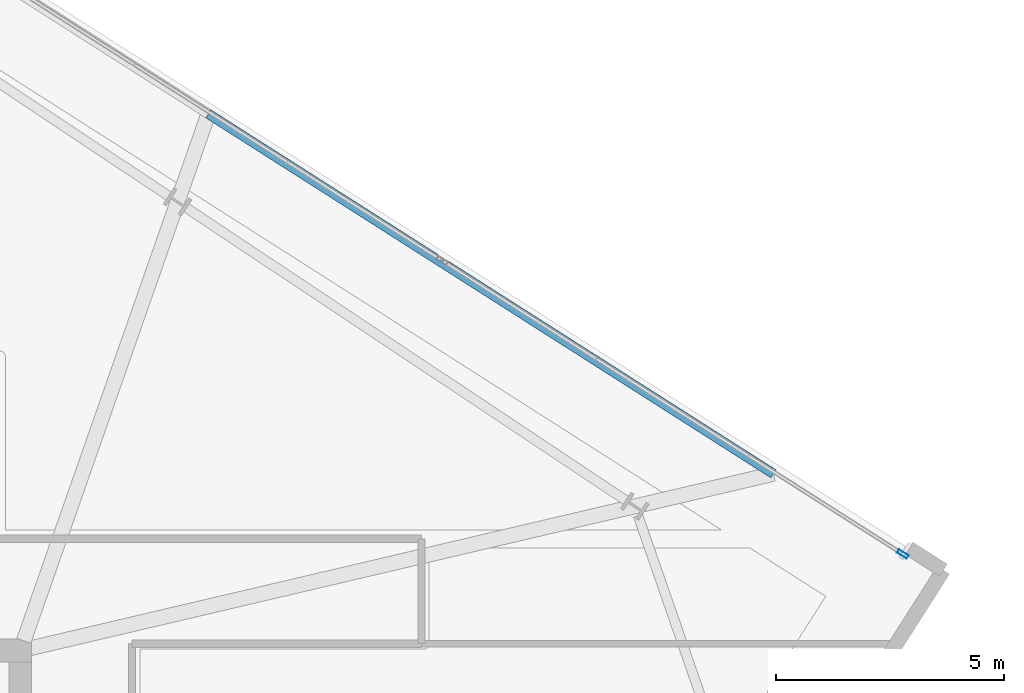
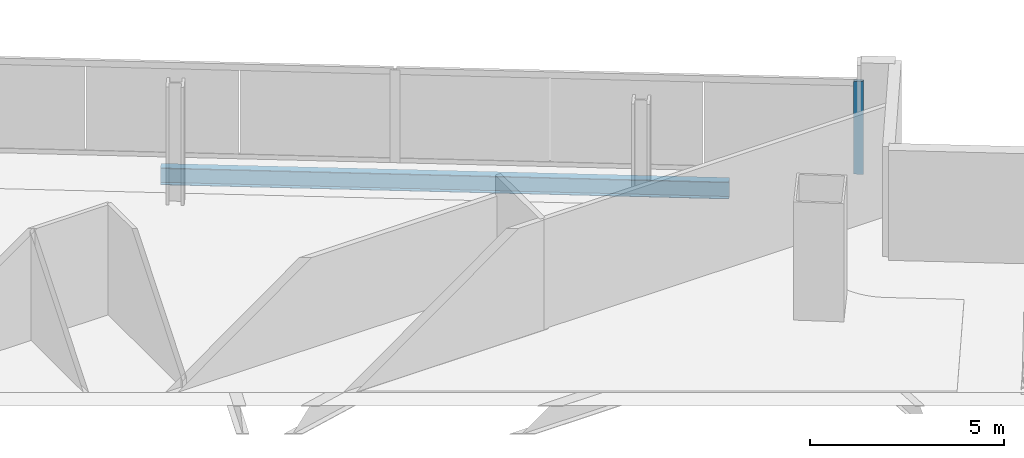
# One storey, part 19 of 30: 1 beam, 1 member, 1 element without a shape of its own.
"""IFC4 building model written with IfcOpenShell, lengths in metres."""

from ifc_helpers import new_model, si_unit, direction, frame, origin, origin_2d, place, context, subcontext, project, spatial, hollow_rectangle, i_section, extrude, material, material_profile, profile_set, type_object, element, aggregate, save


model = new_model("IFC4")

# Units and contexts
model_context = context("Model", 3, precision=1e-05, world=origin(), true_north=direction((0.0, 1.0)))
body_context = subcontext(model_context, "Body", "Model", "MODEL_VIEW")
ifc_project = project(units=[si_unit("LENGTHUNIT", "METRE"), si_unit("AREAUNIT", "SQUARE_METRE"), si_unit("VOLUMEUNIT", "CUBIC_METRE"), si_unit("PLANEANGLEUNIT", "RADIAN"), si_unit("MASSUNIT", "GRAM", prefix="KILO")], contexts=[model_context])

# Site, building, storey
site_placement = place(None, origin())
site = spatial("IfcSite", under=ifc_project, at=site_placement, CompositionType="ELEMENT")
building_placement = place(site_placement, origin())
building = spatial("IfcBuilding", under=site, at=building_placement, Name="Haldenkirk Collegiate Tower", CompositionType="ELEMENT")
storey_placement = place(building_placement, frame((0.0, 0.0, 220.949951171875)))
storey = spatial("IfcBuildingStorey", under=building, at=storey_placement, Name="L55", CompositionType="ELEMENT", Elevation=220.949951171875)

# Beam
ifc_material_1 = material(Name="Steel ASTM A992 Grade 50", Category="steel")
ifc_material_profile_1 = material_profile(ifc_material_1, i_section(OverallWidth=0.2099609375, OverallDepth=0.537109375, WebThickness=0.010986328125, FlangeThickness=0.017333984375, at=origin_2d()), Name="W21X68")
ifc_profile_set_1 = profile_set([ifc_material_profile_1], Name="Steel ASTM A992 Grade 50")
beam_type = type_object("IfcBeamType", Name="BM-SPANDREL-W21X68", PredefinedType="SPANDREL", material=ifc_profile_set_1)
beam_placement = place(storey_placement, frame((61.52197265625, 37.877197265625, -0.54833984375), z_axis=(-0.843394665896, 0.537294553795, 0.0), x_axis=(-0.537294553795, -0.843394665896, 0.0)))
element("IfcBeam", 1, at=beam_placement, inside=storey, type_object=beam_type, Name="L55 outer facade edge beam 2A", PredefinedType="SPANDREL", context=body_context, shape_type="SweptSolid", body=[
    extrude(i_section(OverallWidth=0.2099609375, OverallDepth=0.537109375, WebThickness=0.010986328125, FlangeThickness=0.017333984375, at=origin_2d()), origin(), (0.0, 0.0, 1.0), 14.699462890625),
])

# Curtain wall, member
ifc_material_2 = material(Name="Anodised architectural bronze aluminium", Category="aluminium")
curtain_wall_type = type_object("IfcCurtainWallType", Name="CW-SYS1B-CONVEX-HI", PredefinedType="USERDEFINED", material=ifc_material_2)
curtain_wall_placement = place(storey_placement, origin())
curtain_wall = element("IfcCurtainWall", 2, at=curtain_wall_placement, inside=storey, type_object=curtain_wall_type, Name="L55 Upper tower high-wind convex bronze unitised curtain wall", ObjectType="UNITISED CURTAIN WALL", PredefinedType="USERDEFINED")
ifc_material_profile_2 = material_profile(ifc_material_2, hollow_rectangle(XDim=0.0849609375, YDim=0.25, WallThickness=0.0048828125, at=origin_2d()), Name="CW-MUL-1B")
ifc_profile_set_2 = profile_set([ifc_material_profile_2], Name="Anodised architectural bronze aluminium")
member_type = type_object("IfcMemberType", Name="CW-MUL-1B", PredefinedType="MULLION", material=ifc_profile_set_2)
member_placement = place(storey_placement, frame((64.359619140625, 36.116943359375, 0.0), z_axis=(0.0, 0.0, 1.0), x_axis=(0.537299803563, 0.843391321447, 0.0)))
member = element("IfcMember", 3, at=member_placement, type_object=member_type, Name="CW-1B mullion 4", PredefinedType="MULLION", context=body_context, shape_type="SweptSolid", body=[
    extrude(hollow_rectangle(XDim=0.0849609375, YDim=0.25, WallThickness=0.0048828125, at=origin_2d()), origin(), (0.0, 0.0, 1.0), 2.927978515625),
])
aggregate(curtain_wall, [member])

save(model, "model.ifc")
